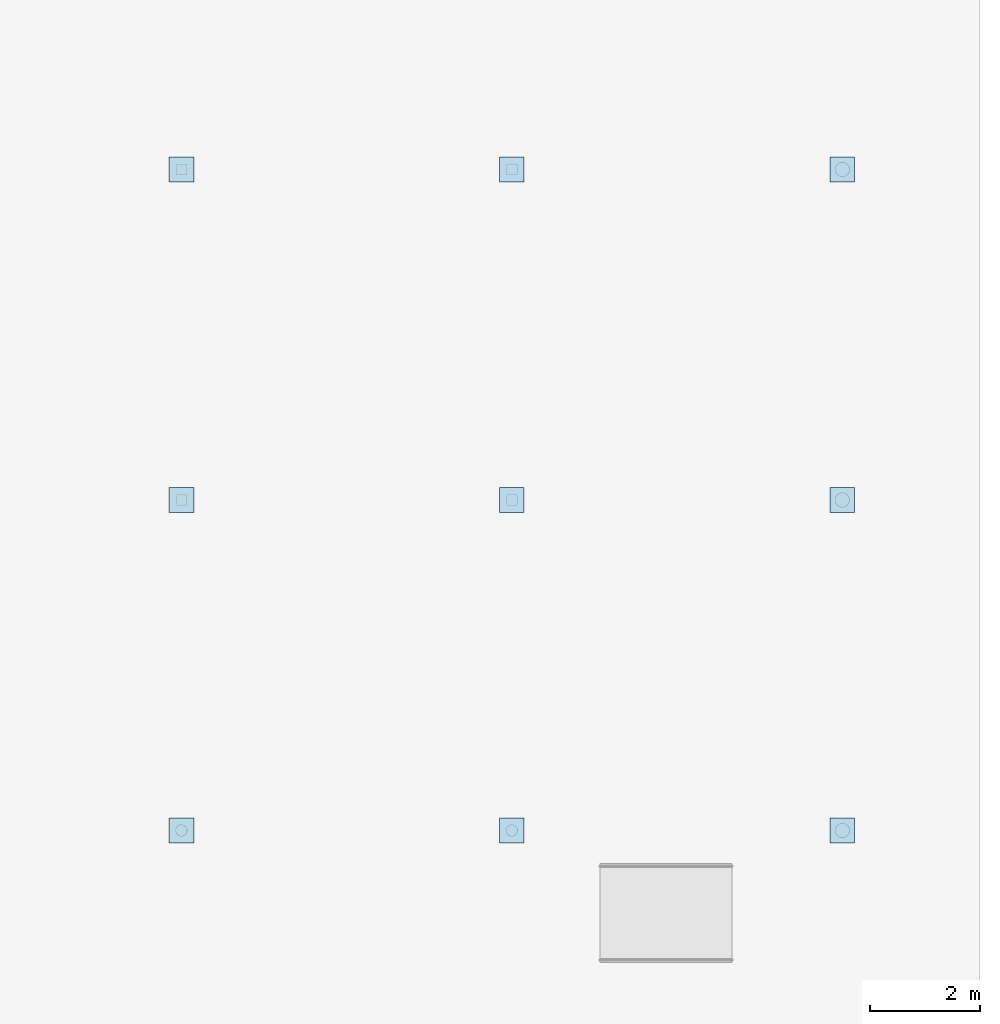
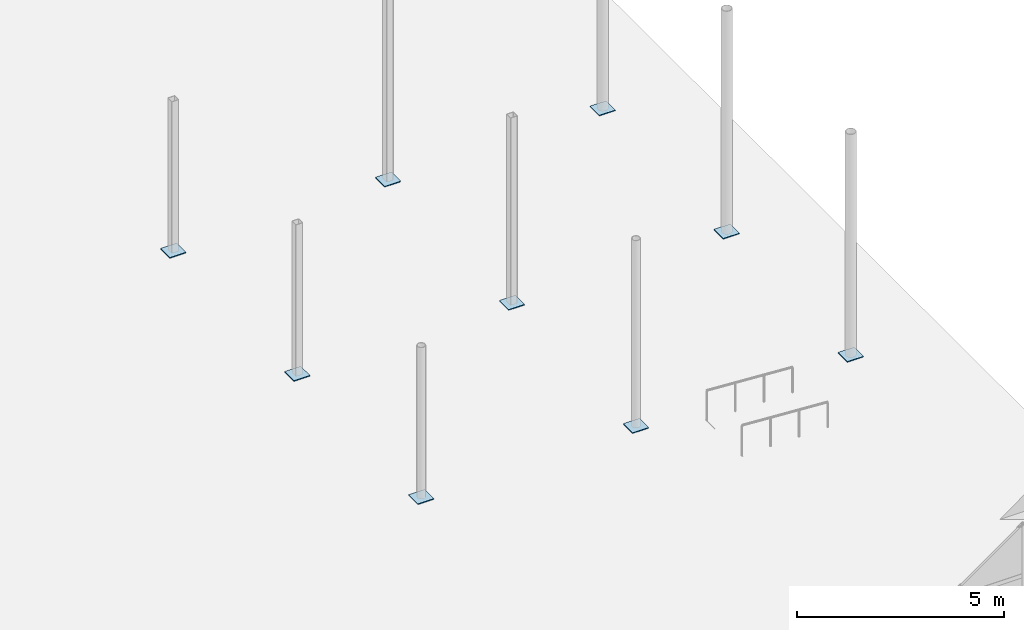
# One storey, part 46 of 76: 9 plates.
"""IFC4 building model written with IfcOpenShell, lengths in metres."""

from ifc_helpers import new_model, si_unit, direction, frame, origin, origin_2d, place, context, subcontext, project, spatial, rectangle, extrude, material, layer, layer_set, type_object, element, save


model = new_model("IFC4")

# Units and contexts
model_context = context("Model", 3, precision=1e-05, world=origin(), true_north=direction((0.0, 1.0)))
body_context = subcontext(model_context, "Body", "Model", "MODEL_VIEW")
ifc_project = project(units=[si_unit("LENGTHUNIT", "METRE"), si_unit("AREAUNIT", "SQUARE_METRE"), si_unit("VOLUMEUNIT", "CUBIC_METRE"), si_unit("PLANEANGLEUNIT", "RADIAN"), si_unit("MASSUNIT", "GRAM", prefix="KILO"), si_unit("POWERUNIT", "WATT"), si_unit("THERMODYNAMICTEMPERATUREUNIT", "KELVIN")], contexts=[model_context])

# Site, building, storey
site_placement = place(None, origin())
site = spatial("IfcSite", under=ifc_project, at=site_placement, CompositionType="ELEMENT")
building_placement = place(site_placement, origin())
building = spatial("IfcBuilding", under=site, at=building_placement, Name="Ruvembo Vaulted Housing Court", CompositionType="ELEMENT")
storey_placement = place(building_placement, origin())
storey = spatial("IfcBuildingStorey", under=building, at=storey_placement, Name="L00", CompositionType="ELEMENT", Elevation=0.0)

# Plates
ifc_material = material(Name="Steel S355J2", Category="steel")
ifc_layer = layer(ifc_material, 0.02392578125, Name="Steel S355J2")
ifc_layer_set = layer_set([ifc_layer], Name="Steel S355J2")
plate_type = type_object("IfcPlateType", Name="PL-BASE-24", PredefinedType="USERDEFINED", material=ifc_layer_set)
for number, where, z_axis, x_axis, name in (
    (1, (174.0, 48.0, 0.0), (0.0, 0.0, 1.0), (1.0, 0.0, 0.0), "Canopy Steel Column Base Plate CAN-E (174,48)"),
    (2, (174.0, 54.0, 0.0), (0.0, 0.0, 1.0), (1.0, 0.0, 0.0), "Canopy Steel Column Base Plate CAN-E (174,54)"),
    (3, (174.0, 60.0, 0.0), (0.0, 0.0, 1.0), (1.0, 0.0, 0.0), "Canopy Steel Column Base Plate CAN-E (174,60)"),
    (4, (180.0, 48.0, 0.0), (0.0, 0.0, 1.0), (1.0, 0.0, 0.0), "Canopy Steel Column Base Plate CAN-E (180,48)"),
    (5, (180.0, 54.0, 0.0), (0.0, 0.0, 1.0), (1.0, 0.0, 0.0), "Canopy Steel Column Base Plate CAN-E (180,54)"),
    (6, (180.0, 60.0, 0.0), (0.0, 0.0, 1.0), (1.0, 0.0, 0.0), "Canopy Steel Column Base Plate CAN-E (180,60)"),
    (7, (186.0, 48.0, 0.0), (0.0, 0.0, 1.0), (1.0, 0.0, 0.0), "Canopy Steel Column Base Plate CAN-E (186,48)"),
    (8, (186.0, 54.0, 0.0), (0.0, 0.0, 1.0), (1.0, 0.0, 0.0), "Canopy Steel Column Base Plate CAN-E (186,54)"),
    (9, (186.0, 60.0, 0.0), (0.0, 0.0, 1.0), (1.0, 0.0, 0.0), "Canopy Steel Column Base Plate CAN-E (186,60)"),
):
    element("IfcPlate", number, at=place(storey_placement, frame(where, z_axis=z_axis, x_axis=x_axis)), inside=storey, type_object=plate_type, Name=name, ObjectType="BASE_PLATE", PredefinedType="USERDEFINED", context=body_context, shape_type="SweptSolid", body=[
        extrude(rectangle(XDim=0.449951171875, YDim=0.449951171875, at=origin_2d()), origin(), (0.0, 0.0, 1.0), 0.02392578125),
    ])

save(model, "model.ifc")
